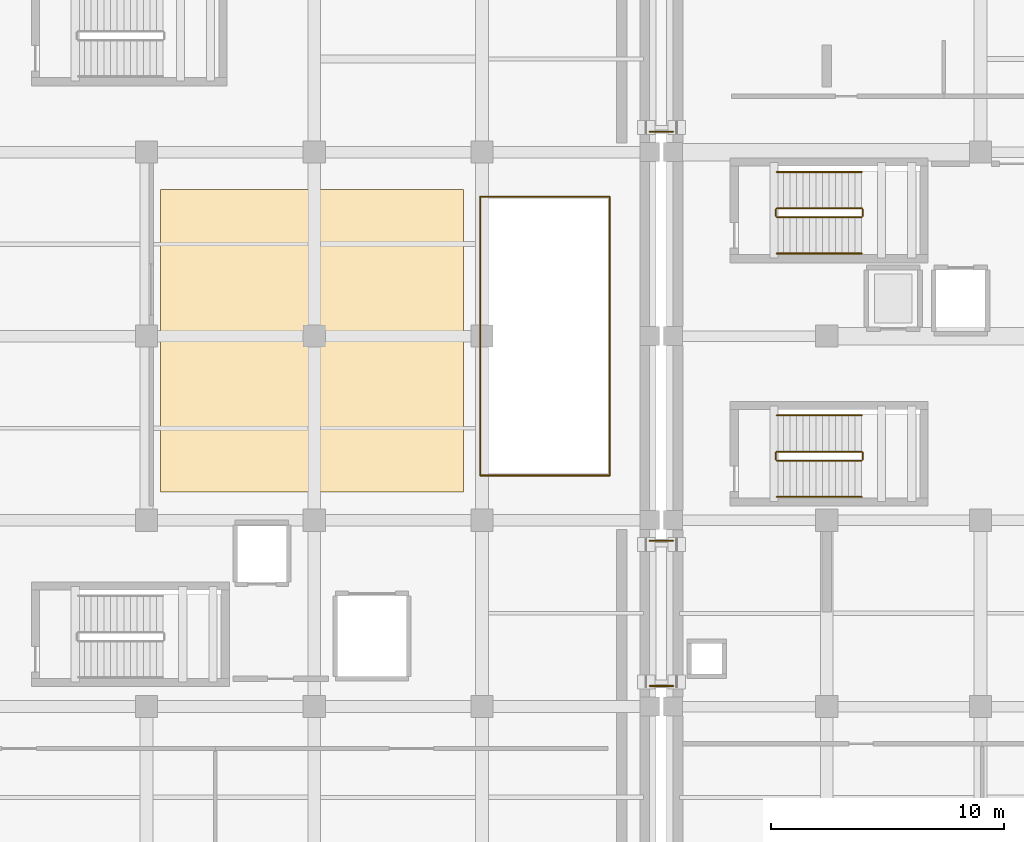
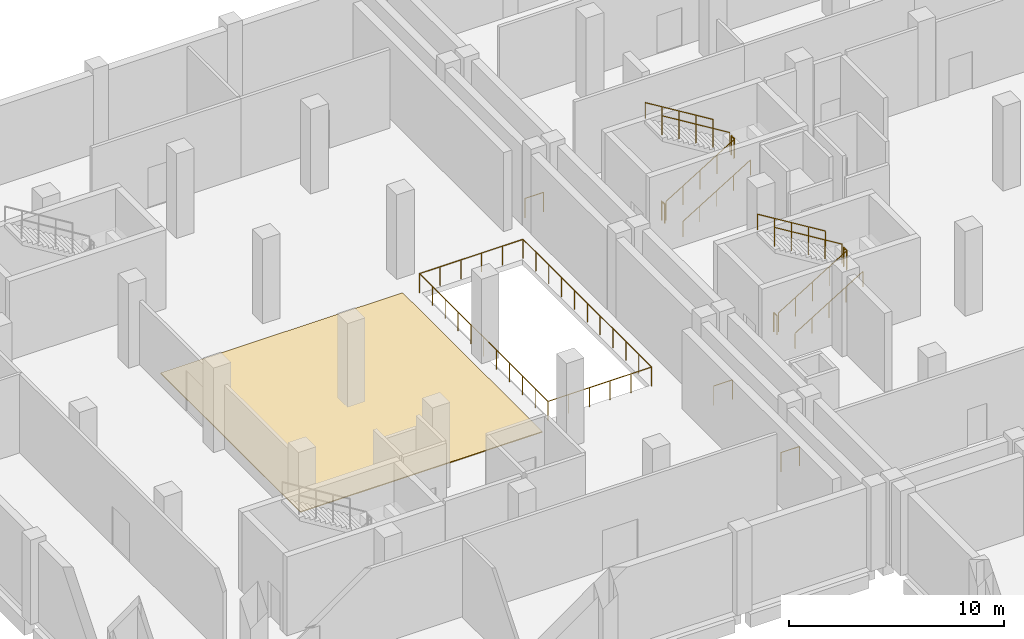
# One storey, part 27 of 31: 19 railings, 1 covering.
"""IFC4 building model written with IfcOpenShell, lengths in metres."""

from ifc_helpers import new_model, si_unit, direction, frame, origin, origin_2d, place, context, subcontext, project, spatial, polyline, circle, outline, extrude, material, layer, layer_set, type_object, element, save


model = new_model("IFC4")

# Units and contexts
model_context = context("Model", 3, precision=1e-05, world=origin(), true_north=direction((0.0, 1.0)))
body_context = subcontext(model_context, "Body", "Model", "MODEL_VIEW")
ifc_project = project(units=[si_unit("LENGTHUNIT", "METRE"), si_unit("AREAUNIT", "SQUARE_METRE"), si_unit("VOLUMEUNIT", "CUBIC_METRE"), si_unit("PLANEANGLEUNIT", "RADIAN"), si_unit("MASSUNIT", "GRAM", prefix="KILO")], contexts=[model_context])

# Site, building, storey
site_placement = place(None, origin())
site = spatial("IfcSite", under=ifc_project, at=site_placement, CompositionType="ELEMENT")
building_placement = place(site_placement, origin())
building = spatial("IfcBuilding", under=site, at=building_placement, Name="Kelarvand Opera House", CompositionType="ELEMENT")
storey_placement = place(building_placement, frame((0.0, 0.0, -4.800048828125)))
storey = spatial("IfcBuildingStorey", under=building, at=storey_placement, Name="B1", CompositionType="ELEMENT", Elevation=-4.800048828125)

# Railings
ifc_material_1 = material(Name="Brushed bronze tubular rail")
railing_type_1 = type_object("IfcRailingType", Name="Brushed Bronze Stair Wall Handrail 900", PredefinedType="HANDRAIL", material=ifc_material_1)
railing_1_placement = place(storey_placement, frame((93.4599609375, 66.050048828125, 0.17138671875)))
element("IfcRailing", 1, at=railing_1_placement, inside=storey, type_object=railing_type_1, Name="B1 ST-01 stair handrail 1", PredefinedType="HANDRAIL", context=body_context, shape_type="SweptSolid", body=[
    extrude(circle(Radius=0.02392578125, at=origin_2d()), frame((0.0, 0.0, 0.8759765625), z_axis=(0.852840387347, 0.0, 0.522171689878), x_axis=(0.0, 1.0, 0.0)), (0.0, 0.0, 1.0), 4.268310546875),
    extrude(circle(Radius=0.02099609375, at=origin_2d()), origin(), (0.0, 0.0, 1.0), 0.851806640625),
    extrude(circle(Radius=0.02099609375, at=origin_2d()), frame((0.91015625, 0.0, 0.55712890625)), (0.0, 0.0, 1.0), 0.851806640625),
    extrude(circle(Radius=0.02099609375, at=origin_2d()), frame((1.820068359375, 0.0, 1.1142578125)), (0.0, 0.0, 1.0), 0.851806640625),
    extrude(circle(Radius=0.02099609375, at=origin_2d()), frame((2.72998046875, 0.0, 1.671630859375)), (0.0, 0.0, 1.0), 0.851806640625),
    extrude(circle(Radius=0.02099609375, at=origin_2d()), frame((3.64013671875, 0.0, 2.228759765625)), (0.0, 0.0, 1.0), 0.851806640625),
])
railing_2_placement = place(storey_placement, frame((97.10009765625, 69.550048828125, 2.571533203125)))
element("IfcRailing", 2, at=railing_2_placement, inside=storey, type_object=railing_type_1, Name="B1 ST-01 stair handrail 2", PredefinedType="HANDRAIL", context=body_context, shape_type="SweptSolid", body=[
    extrude(circle(Radius=0.02392578125, at=origin_2d()), frame((0.0, 0.0, 0.8759765625), z_axis=(-0.852865859571, 0.0, 0.52213008492), x_axis=(0.0, -1.0, 0.0)), (0.0, 0.0, 1.0), 4.26806640625),
    extrude(circle(Radius=0.02099609375, at=origin_2d()), origin(), (0.0, 0.0, 1.0), 0.851806640625),
    extrude(circle(Radius=0.02099609375, at=origin_2d()), frame((-0.91015625, 0.0, 0.55712890625)), (0.0, 0.0, 1.0), 0.851806640625),
    extrude(circle(Radius=0.02099609375, at=origin_2d()), frame((-1.820068359375, 0.0, 1.1142578125)), (0.0, 0.0, 1.0), 0.851806640625),
    extrude(circle(Radius=0.02099609375, at=origin_2d()), frame((-2.72998046875, 0.0, 1.67138671875)), (0.0, 0.0, 1.0), 0.851806640625),
    extrude(circle(Radius=0.02099609375, at=origin_2d()), frame((-3.64013671875, 0.0, 2.228515625)), (0.0, 0.0, 1.0), 0.851806640625),
])
railing_3_placement = place(storey_placement, frame((93.4599609375, 55.60009765625, 0.17138671875)))
element("IfcRailing", 3, at=railing_3_placement, inside=storey, type_object=railing_type_1, Name="B1 ST-04 stair handrail 1", PredefinedType="HANDRAIL", context=body_context, shape_type="SweptSolid", body=[
    extrude(circle(Radius=0.02392578125, at=origin_2d()), frame((0.0, 0.0, 0.8759765625), z_axis=(0.852840387347, 0.0, 0.522171689878), x_axis=(0.0, 1.0, 0.0)), (0.0, 0.0, 1.0), 4.268310546875),
    extrude(circle(Radius=0.02099609375, at=origin_2d()), origin(), (0.0, 0.0, 1.0), 0.851806640625),
    extrude(circle(Radius=0.02099609375, at=origin_2d()), frame((0.91015625, 0.0, 0.55712890625)), (0.0, 0.0, 1.0), 0.851806640625),
    extrude(circle(Radius=0.02099609375, at=origin_2d()), frame((1.820068359375, 0.0, 1.1142578125)), (0.0, 0.0, 1.0), 0.851806640625),
    extrude(circle(Radius=0.02099609375, at=origin_2d()), frame((2.72998046875, 0.0, 1.671630859375)), (0.0, 0.0, 1.0), 0.851806640625),
    extrude(circle(Radius=0.02099609375, at=origin_2d()), frame((3.64013671875, 0.0, 2.228759765625)), (0.0, 0.0, 1.0), 0.851806640625),
])
railing_4_placement = place(storey_placement, frame((97.10009765625, 59.10009765625, 2.571533203125)))
element("IfcRailing", 4, at=railing_4_placement, inside=storey, type_object=railing_type_1, Name="B1 ST-04 stair handrail 2", PredefinedType="HANDRAIL", context=body_context, shape_type="SweptSolid", body=[
    extrude(circle(Radius=0.02392578125, at=origin_2d()), frame((0.0, 0.0, 0.8759765625), z_axis=(-0.852865859571, 0.0, 0.52213008492), x_axis=(0.0, -1.0, 0.0)), (0.0, 0.0, 1.0), 4.26806640625),
    extrude(circle(Radius=0.02099609375, at=origin_2d()), origin(), (0.0, 0.0, 1.0), 0.851806640625),
    extrude(circle(Radius=0.02099609375, at=origin_2d()), frame((-0.91015625, 0.0, 0.55712890625)), (0.0, 0.0, 1.0), 0.851806640625),
    extrude(circle(Radius=0.02099609375, at=origin_2d()), frame((-1.820068359375, 0.0, 1.1142578125)), (0.0, 0.0, 1.0), 0.851806640625),
    extrude(circle(Radius=0.02099609375, at=origin_2d()), frame((-2.72998046875, 0.0, 1.67138671875)), (0.0, 0.0, 1.0), 0.851806640625),
    extrude(circle(Radius=0.02099609375, at=origin_2d()), frame((-3.64013671875, 0.0, 2.228515625)), (0.0, 0.0, 1.0), 0.851806640625),
])
ifc_material_2 = material(Name="Laminated safety glass with bronze cap rail", Category="glass")
railing_type_2 = type_object("IfcRailingType", Name="Laminated Glass and Bronze Foyer Balustrade 1120", PredefinedType="BALUSTRADE", material=ifc_material_2)
for number, where, name in (
    (5, (88.0, 71.280029296875, 0.0), "V1 B1 Balustrade 133"),
    (6, (88.0, 47.47998046875, 0.0), "V1 B1 Balustrade 145"),
    (7, (88.0, 53.719970703125, 0.0), "V1 B1 Balustrade 146"),
):
    element("IfcRailing", number, at=place(storey_placement, frame(where)), inside=storey, type_object=railing_type_2, Name=name, PredefinedType="BALUSTRADE", context=body_context, shape_type="SweptSolid", body=[
        extrude(circle(Radius=0.02392578125, at=origin_2d()), frame((0.0, 0.0, 1.09619140625), z_axis=(1.0, 0.0, 0.0), x_axis=(0.0, 1.0, 0.0)), (0.0, 0.0, 1.0), 1.0),
        extrude(circle(Radius=0.02099609375, at=origin_2d()), origin(), (0.0, 0.0, 1.0), 1.072021484375),
        extrude(circle(Radius=0.02099609375, at=origin_2d()), frame((1.0, 0.0, 0.0)), (0.0, 0.0, 1.0), 1.072021484375),
    ])
ifc_material_3 = material(Name="Powder-coated Steel S355", Category="steel")
railing_type_3 = type_object("IfcRailingType", Name="Painted Steel Stair and Void Guardrail 1100", PredefinedType="GUARDRAIL", material=ifc_material_3)
railing_5_placement = place(storey_placement, frame((93.4599609375, 67.610107421875, 0.17138671875)))
element("IfcRailing", 8, at=railing_5_placement, inside=storey, type_object=railing_type_3, Name="B1 ST-01 stair guard 1", PredefinedType="GUARDRAIL", context=body_context, shape_type="SweptSolid", body=[
    extrude(circle(Radius=0.02392578125, at=origin_2d()), frame((0.0, 0.0, 1.076171875), z_axis=(0.852840387347, 0.0, 0.522171689878), x_axis=(0.0, 1.0, 0.0)), (0.0, 0.0, 1.0), 4.268310546875),
    extrude(circle(Radius=0.02099609375, at=origin_2d()), origin(), (0.0, 0.0, 1.0), 1.052001953125),
    extrude(circle(Radius=0.02099609375, at=origin_2d()), frame((0.91015625, 0.0, 0.55712890625)), (0.0, 0.0, 1.0), 1.052001953125),
    extrude(circle(Radius=0.02099609375, at=origin_2d()), frame((1.820068359375, 0.0, 1.1142578125)), (0.0, 0.0, 1.0), 1.052001953125),
    extrude(circle(Radius=0.02099609375, at=origin_2d()), frame((2.72998046875, 0.0, 1.671630859375)), (0.0, 0.0, 1.0), 1.052001953125),
    extrude(circle(Radius=0.02099609375, at=origin_2d()), frame((3.64013671875, 0.0, 2.228759765625)), (0.0, 0.0, 1.0), 1.052001953125),
])
railing_6_placement = place(storey_placement, frame((97.14990234375, 67.659912109375, 2.400146484375)))
element("IfcRailing", 9, at=railing_6_placement, inside=storey, type_object=railing_type_3, Name="B1 ST-01 stair guard 2", PredefinedType="GUARDRAIL", context=body_context, shape_type="SweptSolid", body=[
    extrude(circle(Radius=0.02392578125, at=origin_2d()), frame((0.0, 0.0, 1.076171875), z_axis=(0.0, 1.0, 0.0), x_axis=(-1.0, 0.0, 0.0)), (0.0, 0.0, 1.0), 0.280029296875),
    extrude(circle(Radius=0.02099609375, at=origin_2d()), origin(), (0.0, 0.0, 1.0), 1.052001953125),
    extrude(circle(Radius=0.02099609375, at=origin_2d()), frame((0.0, 0.280029296875, 0.0)), (0.0, 0.0, 1.0), 1.052001953125),
])
railing_7_placement = place(storey_placement, frame((97.10009765625, 67.989990234375, 2.571533203125)))
element("IfcRailing", 10, at=railing_7_placement, inside=storey, type_object=railing_type_3, Name="B1 ST-01 stair guard 3", PredefinedType="GUARDRAIL", context=body_context, shape_type="SweptSolid", body=[
    extrude(circle(Radius=0.02392578125, at=origin_2d()), frame((0.0, 0.0, 1.076171875), z_axis=(-0.852865859571, 0.0, 0.52213008492), x_axis=(0.0, -1.0, 0.0)), (0.0, 0.0, 1.0), 4.26806640625),
    extrude(circle(Radius=0.02099609375, at=origin_2d()), origin(), (0.0, 0.0, 1.0), 1.052001953125),
    extrude(circle(Radius=0.02099609375, at=origin_2d()), frame((-0.91015625, 0.0, 0.55712890625)), (0.0, 0.0, 1.0), 1.052001953125),
    extrude(circle(Radius=0.02099609375, at=origin_2d()), frame((-1.820068359375, 0.0, 1.1142578125)), (0.0, 0.0, 1.0), 1.052001953125),
    extrude(circle(Radius=0.02099609375, at=origin_2d()), frame((-2.72998046875, 0.0, 1.67138671875)), (0.0, 0.0, 1.0), 1.052001953125),
    extrude(circle(Radius=0.02099609375, at=origin_2d()), frame((-3.64013671875, 0.0, 2.228515625)), (0.0, 0.0, 1.0), 1.052001953125),
])
railing_8_placement = place(storey_placement, frame((93.409912109375, 67.659912109375, 0.0)))
element("IfcRailing", 11, at=railing_8_placement, inside=storey, type_object=railing_type_3, Name="B1 ST-01 stair guard 4", PredefinedType="GUARDRAIL", context=body_context, shape_type="SweptSolid", body=[
    extrude(circle(Radius=0.02392578125, at=origin_2d()), frame((0.0, 0.0, 1.076171875), z_axis=(0.0, 1.0, 0.0), x_axis=(-1.0, 0.0, 0.0)), (0.0, 0.0, 1.0), 0.280029296875),
    extrude(circle(Radius=0.02099609375, at=origin_2d()), origin(), (0.0, 0.0, 1.0), 1.052001953125),
    extrude(circle(Radius=0.02099609375, at=origin_2d()), frame((0.0, 0.280029296875, 0.0)), (0.0, 0.0, 1.0), 1.052001953125),
])
railing_9_placement = place(storey_placement, frame((93.4599609375, 57.159912109375, 0.17138671875)))
element("IfcRailing", 12, at=railing_9_placement, inside=storey, type_object=railing_type_3, Name="B1 ST-04 stair guard 1", PredefinedType="GUARDRAIL", context=body_context, shape_type="SweptSolid", body=[
    extrude(circle(Radius=0.02392578125, at=origin_2d()), frame((0.0, 0.0, 1.076171875), z_axis=(0.852840387347, 0.0, 0.522171689878), x_axis=(0.0, 1.0, 0.0)), (0.0, 0.0, 1.0), 4.268310546875),
    extrude(circle(Radius=0.02099609375, at=origin_2d()), origin(), (0.0, 0.0, 1.0), 1.052001953125),
    extrude(circle(Radius=0.02099609375, at=origin_2d()), frame((0.91015625, 0.0, 0.55712890625)), (0.0, 0.0, 1.0), 1.052001953125),
    extrude(circle(Radius=0.02099609375, at=origin_2d()), frame((1.820068359375, 0.0, 1.1142578125)), (0.0, 0.0, 1.0), 1.052001953125),
    extrude(circle(Radius=0.02099609375, at=origin_2d()), frame((2.72998046875, 0.0, 1.671630859375)), (0.0, 0.0, 1.0), 1.052001953125),
    extrude(circle(Radius=0.02099609375, at=origin_2d()), frame((3.64013671875, 0.0, 2.228759765625)), (0.0, 0.0, 1.0), 1.052001953125),
])
railing_10_placement = place(storey_placement, frame((97.14990234375, 57.2099609375, 2.400146484375)))
element("IfcRailing", 13, at=railing_10_placement, inside=storey, type_object=railing_type_3, Name="B1 ST-04 stair guard 2", PredefinedType="GUARDRAIL", context=body_context, shape_type="SweptSolid", body=[
    extrude(circle(Radius=0.02392578125, at=origin_2d()), frame((0.0, 0.0, 1.076171875), z_axis=(0.0, 1.0, 0.0), x_axis=(-1.0, 0.0, 0.0)), (0.0, 0.0, 1.0), 0.280029296875),
    extrude(circle(Radius=0.02099609375, at=origin_2d()), origin(), (0.0, 0.0, 1.0), 1.052001953125),
    extrude(circle(Radius=0.02099609375, at=origin_2d()), frame((0.0, 0.280029296875, 0.0)), (0.0, 0.0, 1.0), 1.052001953125),
])
railing_11_placement = place(storey_placement, frame((97.10009765625, 57.5400390625, 2.571533203125)))
element("IfcRailing", 14, at=railing_11_placement, inside=storey, type_object=railing_type_3, Name="B1 ST-04 stair guard 3", PredefinedType="GUARDRAIL", context=body_context, shape_type="SweptSolid", body=[
    extrude(circle(Radius=0.02392578125, at=origin_2d()), frame((0.0, 0.0, 1.076171875), z_axis=(-0.852865859571, 0.0, 0.52213008492), x_axis=(0.0, -1.0, 0.0)), (0.0, 0.0, 1.0), 4.26806640625),
    extrude(circle(Radius=0.02099609375, at=origin_2d()), origin(), (0.0, 0.0, 1.0), 1.052001953125),
    extrude(circle(Radius=0.02099609375, at=origin_2d()), frame((-0.91015625, 0.0, 0.55712890625)), (0.0, 0.0, 1.0), 1.052001953125),
    extrude(circle(Radius=0.02099609375, at=origin_2d()), frame((-1.820068359375, 0.0, 1.1142578125)), (0.0, 0.0, 1.0), 1.052001953125),
    extrude(circle(Radius=0.02099609375, at=origin_2d()), frame((-2.72998046875, 0.0, 1.67138671875)), (0.0, 0.0, 1.0), 1.052001953125),
    extrude(circle(Radius=0.02099609375, at=origin_2d()), frame((-3.64013671875, 0.0, 2.228515625)), (0.0, 0.0, 1.0), 1.052001953125),
])
railing_12_placement = place(storey_placement, frame((93.409912109375, 57.2099609375, 0.0)))
element("IfcRailing", 15, at=railing_12_placement, inside=storey, type_object=railing_type_3, Name="B1 ST-04 stair guard 4", PredefinedType="GUARDRAIL", context=body_context, shape_type="SweptSolid", body=[
    extrude(circle(Radius=0.02392578125, at=origin_2d()), frame((0.0, 0.0, 1.076171875), z_axis=(0.0, 1.0, 0.0), x_axis=(-1.0, 0.0, 0.0)), (0.0, 0.0, 1.0), 0.280029296875),
    extrude(circle(Radius=0.02099609375, at=origin_2d()), origin(), (0.0, 0.0, 1.0), 1.052001953125),
    extrude(circle(Radius=0.02099609375, at=origin_2d()), frame((0.0, 0.280029296875, 0.0)), (0.0, 0.0, 1.0), 1.052001953125),
])
railing_13_placement = place(storey_placement, frame((86.280029296875, 68.47998046875, 0.0)))
element("IfcRailing", 16, at=railing_13_placement, inside=storey, type_object=railing_type_3, Name="V2 B1 Guardrail 21", PredefinedType="GUARDRAIL", context=body_context, shape_type="SweptSolid", body=[
    extrude(circle(Radius=0.02392578125, at=origin_2d()), frame((0.0, 0.0, 1.076171875), z_axis=(0.0, -1.0, 0.0), x_axis=(1.0, 0.0, 0.0)), (0.0, 0.0, 1.0), 11.9599609375),
    extrude(circle(Radius=0.02099609375, at=origin_2d()), origin(), (0.0, 0.0, 1.0), 1.052001953125),
    extrude(circle(Radius=0.02099609375, at=origin_2d()), frame((0.0, -1.196044921875, 0.0)), (0.0, 0.0, 1.0), 1.052001953125),
    extrude(circle(Radius=0.02099609375, at=origin_2d()), frame((0.0, -2.39208984375, 0.0)), (0.0, 0.0, 1.0), 1.052001953125),
    extrude(circle(Radius=0.02099609375, at=origin_2d()), frame((0.0, -3.587890625, 0.0)), (0.0, 0.0, 1.0), 1.052001953125),
    extrude(circle(Radius=0.02099609375, at=origin_2d()), frame((0.0, -4.783935546875, 0.0)), (0.0, 0.0, 1.0), 1.052001953125),
    extrude(circle(Radius=0.02099609375, at=origin_2d()), frame((0.0, -5.97998046875, 0.0)), (0.0, 0.0, 1.0), 1.052001953125),
    extrude(circle(Radius=0.02099609375, at=origin_2d()), frame((0.0, -7.176025390625, 0.0)), (0.0, 0.0, 1.0), 1.052001953125),
    extrude(circle(Radius=0.02099609375, at=origin_2d()), frame((0.0, -8.3720703125, 0.0)), (0.0, 0.0, 1.0), 1.052001953125),
    extrude(circle(Radius=0.02099609375, at=origin_2d()), frame((0.0, -9.56787109375, 0.0)), (0.0, 0.0, 1.0), 1.052001953125),
    extrude(circle(Radius=0.02099609375, at=origin_2d()), frame((0.0, -10.763916015625, 0.0)), (0.0, 0.0, 1.0), 1.052001953125),
    extrude(circle(Radius=0.02099609375, at=origin_2d()), frame((0.0, -11.9599609375, 0.0)), (0.0, 0.0, 1.0), 1.052001953125),
])
railing_14_placement = place(storey_placement, frame((86.280029296875, 56.52001953125, 0.0)))
element("IfcRailing", 17, at=railing_14_placement, inside=storey, type_object=railing_type_3, Name="V2 B1 Guardrail 22", PredefinedType="GUARDRAIL", context=body_context, shape_type="SweptSolid", body=[
    extrude(circle(Radius=0.02392578125, at=origin_2d()), frame((0.0, 0.0, 1.076171875), z_axis=(-1.0, 0.0, 0.0), x_axis=(0.0, -1.0, 0.0)), (0.0, 0.0, 1.0), 5.56005859375),
    extrude(circle(Radius=0.02099609375, at=origin_2d()), origin(), (0.0, 0.0, 1.0), 1.052001953125),
    extrude(circle(Radius=0.02099609375, at=origin_2d()), frame((-1.112060546875, 0.0, 0.0)), (0.0, 0.0, 1.0), 1.052001953125),
    extrude(circle(Radius=0.02099609375, at=origin_2d()), frame((-2.22412109375, 0.0, 0.0)), (0.0, 0.0, 1.0), 1.052001953125),
    extrude(circle(Radius=0.02099609375, at=origin_2d()), frame((-3.3359375, 0.0, 0.0)), (0.0, 0.0, 1.0), 1.052001953125),
    extrude(circle(Radius=0.02099609375, at=origin_2d()), frame((-4.447998046875, 0.0, 0.0)), (0.0, 0.0, 1.0), 1.052001953125),
    extrude(circle(Radius=0.02099609375, at=origin_2d()), frame((-5.56005859375, 0.0, 0.0)), (0.0, 0.0, 1.0), 1.052001953125),
])
railing_15_placement = place(storey_placement, frame((80.719970703125, 56.52001953125, 0.0)))
element("IfcRailing", 18, at=railing_15_placement, inside=storey, type_object=railing_type_3, Name="V2 B1 Guardrail 23", PredefinedType="GUARDRAIL", context=body_context, shape_type="SweptSolid", body=[
    extrude(circle(Radius=0.02392578125, at=origin_2d()), frame((0.0, 0.0, 1.076171875), z_axis=(0.0, 1.0, 0.0), x_axis=(-1.0, 0.0, 0.0)), (0.0, 0.0, 1.0), 11.9599609375),
    extrude(circle(Radius=0.02099609375, at=origin_2d()), origin(), (0.0, 0.0, 1.0), 1.052001953125),
    extrude(circle(Radius=0.02099609375, at=origin_2d()), frame((0.0, 1.196044921875, 0.0)), (0.0, 0.0, 1.0), 1.052001953125),
    extrude(circle(Radius=0.02099609375, at=origin_2d()), frame((0.0, 2.39208984375, 0.0)), (0.0, 0.0, 1.0), 1.052001953125),
    extrude(circle(Radius=0.02099609375, at=origin_2d()), frame((0.0, 3.587890625, 0.0)), (0.0, 0.0, 1.0), 1.052001953125),
    extrude(circle(Radius=0.02099609375, at=origin_2d()), frame((0.0, 4.783935546875, 0.0)), (0.0, 0.0, 1.0), 1.052001953125),
    extrude(circle(Radius=0.02099609375, at=origin_2d()), frame((0.0, 5.97998046875, 0.0)), (0.0, 0.0, 1.0), 1.052001953125),
    extrude(circle(Radius=0.02099609375, at=origin_2d()), frame((0.0, 7.176025390625, 0.0)), (0.0, 0.0, 1.0), 1.052001953125),
    extrude(circle(Radius=0.02099609375, at=origin_2d()), frame((0.0, 8.3720703125, 0.0)), (0.0, 0.0, 1.0), 1.052001953125),
    extrude(circle(Radius=0.02099609375, at=origin_2d()), frame((0.0, 9.56787109375, 0.0)), (0.0, 0.0, 1.0), 1.052001953125),
    extrude(circle(Radius=0.02099609375, at=origin_2d()), frame((0.0, 10.763916015625, 0.0)), (0.0, 0.0, 1.0), 1.052001953125),
    extrude(circle(Radius=0.02099609375, at=origin_2d()), frame((0.0, 11.9599609375, 0.0)), (0.0, 0.0, 1.0), 1.052001953125),
])
railing_16_placement = place(storey_placement, frame((80.719970703125, 68.47998046875, 0.0)))
element("IfcRailing", 19, at=railing_16_placement, inside=storey, type_object=railing_type_3, Name="V2 B1 Guardrail 24", PredefinedType="GUARDRAIL", context=body_context, shape_type="SweptSolid", body=[
    extrude(circle(Radius=0.02392578125, at=origin_2d()), frame((0.0, 0.0, 1.076171875), z_axis=(1.0, 0.0, 0.0), x_axis=(0.0, 1.0, 0.0)), (0.0, 0.0, 1.0), 5.56005859375),
    extrude(circle(Radius=0.02099609375, at=origin_2d()), origin(), (0.0, 0.0, 1.0), 1.052001953125),
    extrude(circle(Radius=0.02099609375, at=origin_2d()), frame((1.112060546875, 0.0, 0.0)), (0.0, 0.0, 1.0), 1.052001953125),
    extrude(circle(Radius=0.02099609375, at=origin_2d()), frame((2.22412109375, 0.0, 0.0)), (0.0, 0.0, 1.0), 1.052001953125),
    extrude(circle(Radius=0.02099609375, at=origin_2d()), frame((3.3359375, 0.0, 0.0)), (0.0, 0.0, 1.0), 1.052001953125),
    extrude(circle(Radius=0.02099609375, at=origin_2d()), frame((4.447998046875, 0.0, 0.0)), (0.0, 0.0, 1.0), 1.052001953125),
    extrude(circle(Radius=0.02099609375, at=origin_2d()), frame((5.56005859375, 0.0, 0.0)), (0.0, 0.0, 1.0), 1.052001953125),
])

# Covering
ifc_material_4 = material(Name="Sprung rift-sawn timber stage flooring", Category="wood")
ifc_layer = layer(ifc_material_4, 0.050048828125, Name="Sprung rift-sawn timber stage flooring", Category="wood")
ifc_layer_set = layer_set([ifc_layer], Name="Sprung rift-sawn timber stage flooring")
covering_type = type_object("IfcCoveringType", Name="Sprung Oregon Pine Stage and Rehearsal Flooring 50mm", PredefinedType="FLOORING", material=ifc_layer_set)
covering_placement = place(storey_placement, origin())
element("IfcCovering", 20, at=covering_placement, inside=storey, type_object=covering_type, Name="V2 B1 Architectural Flooring 5", PredefinedType="FLOORING", context=body_context, shape_type="SweptSolid", body=[
    extrude(outline(polyline([(67.0, 55.800048828125), (80.0, 55.800048828125), (80.0, 68.800048828125), (67.0, 68.800048828125), (67.0, 55.800048828125)])), origin(), (0.0, 0.0, 1.0), 0.050048828125),
])

save(model, "model.ifc")
